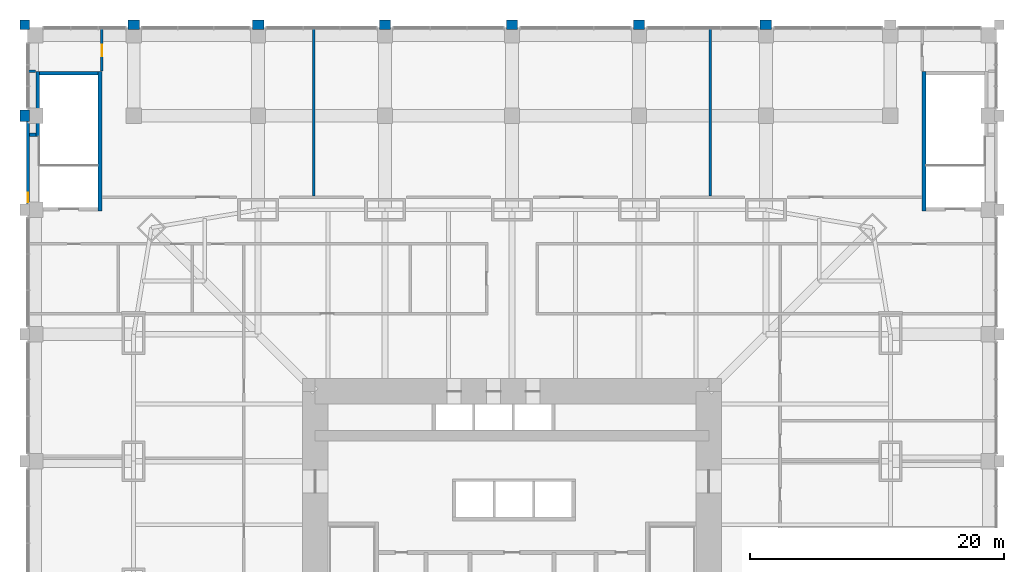
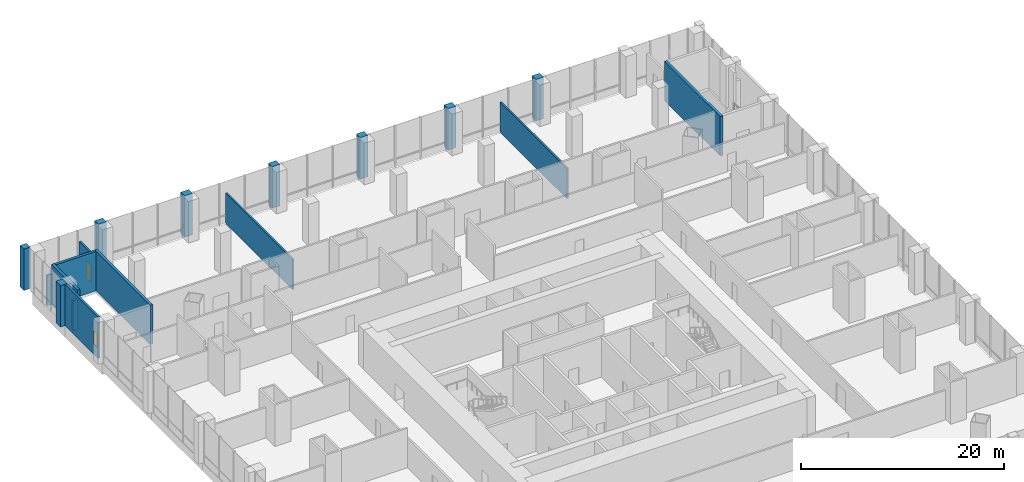
# One storey, part 20 of 22: 18 walls, 1 door, 1 window, 2 openings.
"""IFC4 building model written with IfcOpenShell, lengths in metres."""

from ifc_helpers import new_model, si_unit, direction, frame, frame_2d, origin, place, context, subcontext, project, spatial, rectangle, extrude, material, layer, layer_set, type_object, element, fill, save


model = new_model("IFC4")

# Units and contexts
model_context = context("Model", 3, precision=1e-05, world=origin(), true_north=direction((0.0, 1.0)))
body_context = subcontext(model_context, "Body", "Model", "MODEL_VIEW")
ifc_project = project(units=[si_unit("LENGTHUNIT", "METRE"), si_unit("AREAUNIT", "SQUARE_METRE"), si_unit("VOLUMEUNIT", "CUBIC_METRE"), si_unit("PLANEANGLEUNIT", "RADIAN"), si_unit("MASSUNIT", "GRAM", prefix="KILO")], contexts=[model_context])

# Site, building, storey
site_placement = place(None, origin())
site = spatial("IfcSite", under=ifc_project, at=site_placement, CompositionType="ELEMENT")
building_placement = place(site_placement, origin())
building = spatial("IfcBuilding", under=site, at=building_placement, Name="Khuree Lantern Residences", CompositionType="ELEMENT")
storey_placement = place(building_placement, frame((0.0, 0.0, 16.0)))
storey = spatial("IfcBuildingStorey", under=building, at=storey_placement, Name="L03", CompositionType="ELEMENT", Elevation=16.0)

# Walls
ifc_material_1 = material(Name="Dense concrete blockwork", Category="masonry")
ifc_layer_1 = layer(ifc_material_1, 0.300048828125)
ifc_layer_set_1 = layer_set([ifc_layer_1], Name="CORE PARTITION WALL CPW300 EI 120")
wall_type_1 = type_object("IfcWallType", Name="CORE PARTITION WALL CPW300 EI 120", PredefinedType="PARTITIONING", material=ifc_layer_set_1)
wall_1_placement = place(storey_placement, frame((-38.0, 35.7060546875, 0.0), z_axis=(0.0, 0.0, 1.0), x_axis=(1.0, 0.0, 0.0)))
element("IfcWall", 1, at=wall_1_placement, inside=storey, type_object=wall_type_1, Name="L03 STAIR ST3 WALL X", PredefinedType="PARTITIONING", context=body_context, shape_type="SweptSolid", body=[
    extrude(rectangle(XDim=0.5, YDim=0.300048828125, at=frame_2d((0.25, 0.0))), origin(), (0.0, 0.0, 1.0), 3.64990234375),
])
ifc_material_2 = material(Name="Flamed granite cladding on blockwork", Category="masonry")
ifc_layer_2 = layer(ifc_material_2, 0.75)
ifc_layer_set_2 = layer_set([ifc_layer_2], Name="PODIUM PIER PR1 900X750")
wall_type_2 = type_object("IfcWallType", Name="PODIUM PIER PR1 900X750", PredefinedType="SOLIDWALL", material=ifc_layer_set_2)
for number, where, z_axis, x_axis, name in (
    (2, (20.449951171875, 44.375, 0.0), (0.0, 0.0, 1.0), (-1.0, 0.0, 0.0), "L03 NORTH FACE PIER 2"),
    (3, (10.449951171875, 44.375, 0.0), (0.0, 0.0, 1.0), (-1.0, 0.0, 0.0), "L03 NORTH FACE PIER 3"),
    (4, (0.449951171875, 44.375, 0.0), (0.0, 0.0, 1.0), (-1.0, 0.0, 0.0), "L03 NORTH FACE PIER 4"),
    (5, (-9.550048828125, 44.375, 0.0), (0.0, 0.0, 1.0), (-1.0, 0.0, 0.0), "L03 NORTH FACE PIER 5"),
    (6, (-19.550048828125, 44.375, 0.0), (0.0, 0.0, 1.0), (-1.0, 0.0, 0.0), "L03 NORTH FACE PIER 6"),
    (7, (-29.35009765625, 44.375, 0.0), (0.0, 0.0, 1.0), (-1.0, 0.0, 0.0), "L03 NORTH FACE PIER 7"),
):
    element("IfcWall", number, at=place(storey_placement, frame(where, z_axis=z_axis, x_axis=x_axis)), inside=storey, type_object=wall_type_2, Name=name, PredefinedType="SOLIDWALL", context=body_context, shape_type="SweptSolid", body=[
        extrude(rectangle(XDim=0.89990234375, YDim=0.75, at=frame_2d((0.449951171875, 0.0))), origin(), (0.0, 0.0, 1.0), 5.0),
    ])
wall_2_placement = place(storey_placement, frame((-38.0, 44.375, 0.0), z_axis=(0.0, 0.0, 1.0), x_axis=(-1.0, 0.0, 0.0)))
element("IfcWall", 8, at=wall_2_placement, inside=storey, type_object=wall_type_2, Name="L03 NORTH FACE PIER 8", PredefinedType="SOLIDWALL", context=body_context, shape_type="SweptSolid", body=[
    extrude(rectangle(XDim=0.75, YDim=0.75, at=frame_2d((0.375, 0.0))), origin(), (0.0, 0.0, 1.0), 5.0),
])
wall_3_placement = place(storey_placement, frame((-38.375, 37.64990234375, 0.0), z_axis=(0.0, 0.0, 1.0), x_axis=(0.0, -1.0, 0.0)))
element("IfcWall", 9, at=wall_3_placement, inside=storey, type_object=wall_type_2, Name="L03 WEST FACE PIER 1", PredefinedType="SOLIDWALL", context=body_context, shape_type="SweptSolid", body=[
    extrude(rectangle(XDim=0.89990234375, YDim=0.75, at=frame_2d((0.449951171875, 0.0))), origin(), (0.0, 0.0, 1.0), 5.0),
])

# Wall, opening, window
ifc_layer_3 = layer(ifc_material_2, 0.25)
ifc_layer_set_3 = layer_set([ifc_layer_3], Name="PODIUM STONE WALL SW1 250")
wall_type_3 = type_object("IfcWallType", Name="PODIUM STONE WALL SW1 250", PredefinedType="SOLIDWALL", material=ifc_layer_set_3)
wall_4_placement = place(storey_placement, frame((-38.125, 36.75, 0.0), z_axis=(0.0, 0.0, 1.0), x_axis=(0.0, -1.0, 0.0)))
wall_4 = element("IfcWall", 10, at=wall_4_placement, inside=storey, type_object=wall_type_3, Name="L03 WEST FACE BAY 2 STONE WALL", PredefinedType="SOLIDWALL", context=body_context, shape_type="SweptSolid", body=[
    extrude(rectangle(XDim=6.5, YDim=0.25, at=frame_2d((3.25, 0.0))), origin(), (0.0, 0.0, 1.0), 5.0),
])
opening_1_placement = place(wall_4_placement, frame((5.60009765625, 0.0, 1.199951171875)))
opening_1 = element("IfcOpeningElement", 11, at=opening_1_placement, cuts=wall_4, Name="Opening L03-W02", PredefinedType="OPENING", context=body_context, shape_type="SweptSolid", body=[
    extrude(rectangle(XDim=0.75, YDim=1.699951171875, at=frame_2d((0.375, 0.85009765625))), frame((0.0, 0.135009765625, 0.0), z_axis=(0.0, -1.0, 0.0), x_axis=(1.0, 0.0, 0.0)), (0.0, 0.0, 1.0), 0.27001953125),
])
ifc_material_3 = material(Name="Aluminium frame, triple glazing", Category="aluminium")
window_type = type_object("IfcWindowType", Name="STAIR WINDOW W1 750X1700", PartitioningType="SINGLE_PANEL", PredefinedType="WINDOW", material=ifc_material_3)
window_placement = place(opening_1_placement, origin())
window = element("IfcWindow", 12, at=window_placement, inside=storey, type_object=window_type, Name="Stair ST3 window L03-W02", OverallHeight=1.699951171875, OverallWidth=0.75, PartitioningType="SINGLE_PANEL", PredefinedType="WINDOW", context=body_context, shape_type="SweptSolid", body=[
    extrude(rectangle(XDim=0.75, YDim=1.699951171875, at=frame_2d((0.375, 0.85009765625))), frame((0.0, 0.030029296875, 0.0), z_axis=(0.0, -1.0, 0.0), x_axis=(1.0, 0.0, 0.0)), (0.0, 0.0, 1.0), 0.06005859375),
])
fill(opening_1, window)

# Walls
ifc_layer_4 = layer(ifc_material_1, 0.199951171875)
ifc_layer_set_4 = layer_set([ifc_layer_4], Name="ROOM WALL RMW200")
wall_type_4 = type_object("IfcWallType", Name="ROOM WALL RMW200", PredefinedType="SOLIDWALL", material=ifc_layer_set_4)
for number, where, z_axis, x_axis, name in (
    (13, (-15.631103515625, 30.89990234375, 0.0), (0.0, 0.0, 1.0), (0.0, 1.0, 0.0), "L03 ROOM WALL 40"),
    (14, (15.631103515625, 30.89990234375, 0.0), (0.0, 0.0, 1.0), (0.0, 1.0, 0.0), "L03 ROOM WALL 41"),
):
    element("IfcWall", number, at=place(storey_placement, frame(where, z_axis=z_axis, x_axis=x_axis)), inside=storey, type_object=wall_type_4, Name=name, PredefinedType="SOLIDWALL", context=body_context, shape_type="SweptSolid", body=[
        extrude(rectangle(XDim=13.175048828125, YDim=0.199951171875, at=frame_2d((6.58740234375, 0.0))), origin(), (0.0, 0.0, 1.0), 3.64990234375),
    ])
wall_5_placement = place(storey_placement, frame((-38.074951171875, 40.699951171875, 0.0), z_axis=(0.0, 0.0, 1.0), x_axis=(1.0, 0.0, 0.0)))
element("IfcWall", 15, at=wall_5_placement, inside=storey, type_object=wall_type_4, Name="L03 ROOM WALL 42", PredefinedType="SOLIDWALL", context=body_context, shape_type="SweptSolid", body=[
    extrude(rectangle(XDim=0.554931640625, YDim=0.199951171875, at=frame_2d((0.27734375, 0.0))), origin(), (0.0, 0.0, 1.0), 3.64990234375),
])

# Wall, opening, door
wall_6_placement = place(storey_placement, frame((-32.300048828125, 40.719970703125, 0.0), z_axis=(0.0, 0.0, 1.0), x_axis=(0.0, 1.0, 0.0)))
wall_6 = element("IfcWall", 16, at=wall_6_placement, inside=storey, type_object=wall_type_4, Name="L03 ROOM WALL 44", PredefinedType="SOLIDWALL", context=body_context, shape_type="SweptSolid", body=[
    extrude(rectangle(XDim=3.35498046875, YDim=0.199951171875, at=frame_2d((1.677490234375, 0.0))), origin(), (0.0, 0.0, 1.0), 3.64990234375),
])
opening_2_placement = place(wall_6_placement, frame((1.18994140625, 0.0, 0.0)))
opening_2 = element("IfcOpeningElement", 17, at=opening_2_placement, cuts=wall_6, Name="Opening 03-040", PredefinedType="OPENING", context=body_context, shape_type="SweptSolid", body=[
    extrude(rectangle(XDim=0.89990234375, YDim=2.10009765625, at=frame_2d((0.449951171875, 1.050048828125))), frame((0.0, 0.10986328125, 0.0), z_axis=(0.0, -1.0, 0.0), x_axis=(1.0, 0.0, 0.0)), (0.0, 0.0, 1.0), 0.219970703125),
])
ifc_material_4 = material(Name="Timber door leaf in hardwood frame", Category="wood")
door_type = type_object("IfcDoorType", Name="WC DOOR 900X2100", OperationType="SINGLE_SWING_LEFT", PredefinedType="DOOR", material=ifc_material_4)
door_placement = place(opening_2_placement, origin())
door = element("IfcDoor", 18, at=door_placement, inside=storey, type_object=door_type, Name="Cleaner's store door 03-040", OperationType="SINGLE_SWING_LEFT", OverallHeight=2.10009765625, OverallWidth=0.89990234375, PredefinedType="DOOR", context=body_context, shape_type="SweptSolid", body=[
    extrude(rectangle(XDim=0.89990234375, YDim=2.10009765625, at=frame_2d((0.449951171875, 1.050048828125))), frame((0.0, 0.02490234375, 0.0), z_axis=(0.0, -1.0, 0.0), x_axis=(1.0, 0.0, 0.0)), (0.0, 0.0, 1.0), 0.050048828125),
])
fill(opening_2, door)

# Walls
ifc_material_5 = material(Name="Concrete C50/60", Category="concrete")
ifc_layer_5 = layer(ifc_material_5, 0.300048828125)
ifc_layer_set_5 = layer_set([ifc_layer_5], Name="STAIR WALL SRW300 C50/60 REI 240")
wall_type_5 = type_object("IfcWallType", Name="STAIR WALL SRW300 C50/60 REI 240", PredefinedType="SOLIDWALL", material=ifc_layer_set_5)
wall_7_placement = place(storey_placement, frame((-37.35009765625, 35.555908203125, 0.0), z_axis=(0.0, 0.0, 1.0), x_axis=(0.0, 1.0, 0.0)))
element("IfcWall", 19, at=wall_7_placement, inside=storey, type_object=wall_type_5, Name="L03 STAIR ST3 WALL O", PredefinedType="SOLIDWALL", context=body_context, shape_type="SweptSolid", body=[
    extrude(rectangle(XDim=5.14404296875, YDim=0.300048828125, at=frame_2d((2.572021484375, 0.0))), origin(), (0.0, 0.0, 1.0), 4.75),
])
wall_8_placement = place(storey_placement, frame((-32.449951171875, 29.699951171875, 0.0), z_axis=(0.0, 0.0, 1.0), x_axis=(0.0, 1.0, 0.0)))
element("IfcWall", 20, at=wall_8_placement, inside=storey, type_object=wall_type_5, Name="L03 STAIR ST3 WALL I", PredefinedType="SOLIDWALL", context=body_context, shape_type="SweptSolid", body=[
    extrude(rectangle(XDim=11.0, YDim=0.300048828125, at=frame_2d((5.5, 0.0))), origin(), (0.0, 0.0, 1.0), 4.75),
])
wall_9_placement = place(storey_placement, frame((-37.199951171875, 40.550048828125, 0.0), z_axis=(0.0, 0.0, 1.0), x_axis=(1.0, 0.0, 0.0)))
element("IfcWall", 21, at=wall_9_placement, inside=storey, type_object=wall_type_5, Name="L03 STAIR ST3 WALL N", PredefinedType="SOLIDWALL", context=body_context, shape_type="SweptSolid", body=[
    extrude(rectangle(XDim=4.599853515625, YDim=0.300048828125, at=frame_2d((2.2998046875, 0.0))), origin(), (0.0, 0.0, 1.0), 4.75),
])
wall_10_placement = place(storey_placement, frame((32.449951171875, 29.699951171875, 0.0), z_axis=(0.0, 0.0, 1.0), x_axis=(0.0, 1.0, 0.0)))
element("IfcWall", 22, at=wall_10_placement, inside=storey, type_object=wall_type_5, Name="L03 STAIR ST4 WALL I", PredefinedType="SOLIDWALL", context=body_context, shape_type="SweptSolid", body=[
    extrude(rectangle(XDim=11.0, YDim=0.300048828125, at=frame_2d((5.5, 0.0))), origin(), (0.0, 0.0, 1.0), 4.75),
])

save(model, "model.ifc")
